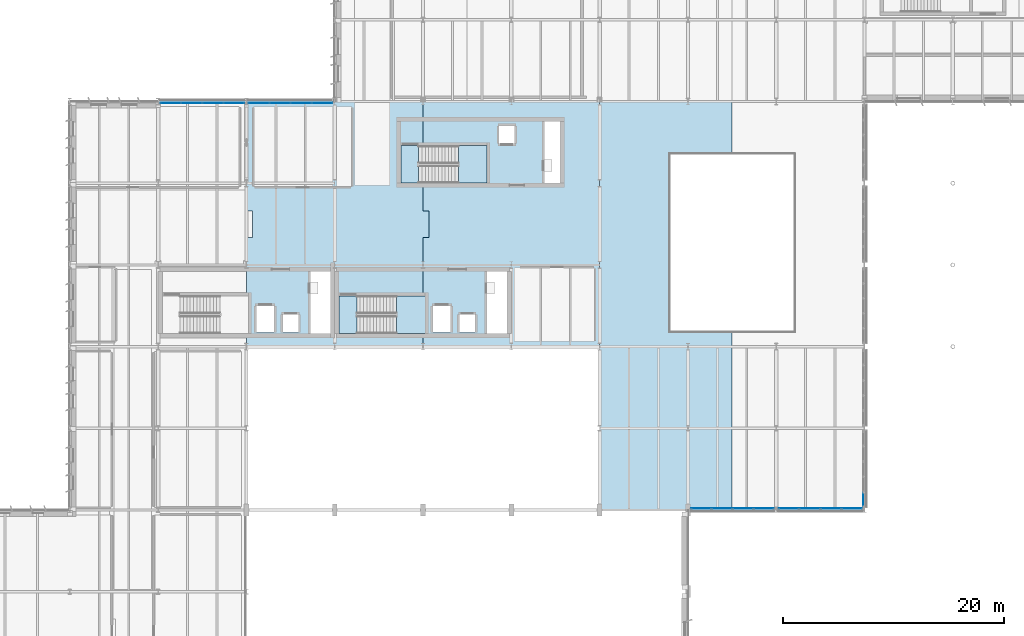
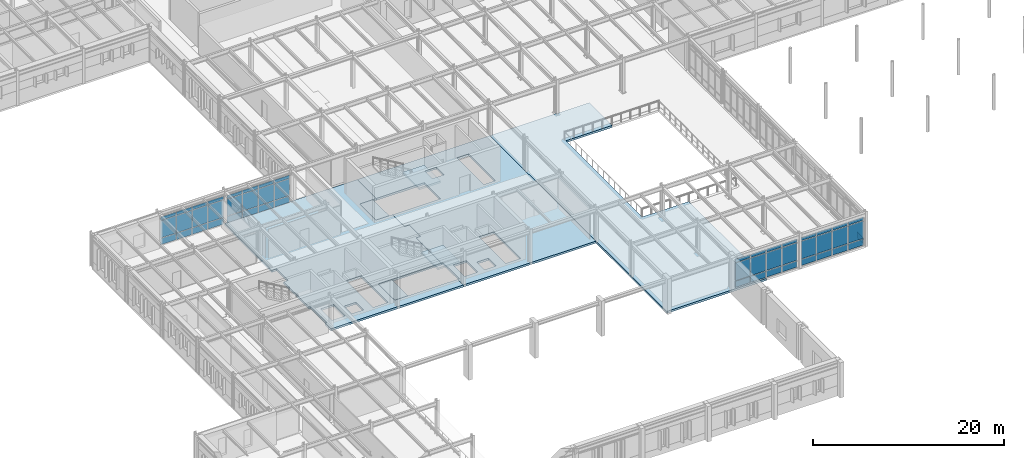
# One storey, part 29 of 75: 49 plates, 7 slabs, 7 elements without a shape of their own.
"""IFC4 building model written with IfcOpenShell, lengths in metres."""

from ifc_helpers import new_model, si_unit, direction, frame, origin, origin_2d, place, context, subcontext, project, spatial, polyline, rectangle, outline, extrude, material, layer, layer_set, type_object, element, aggregate, save


model = new_model("IFC4")

# Units and contexts
model_context = context("Model", 3, precision=1e-05, world=origin(), true_north=direction((0.0, 1.0)))
body_context = subcontext(model_context, "Body", "Model", "MODEL_VIEW")
ifc_project = project(units=[si_unit("LENGTHUNIT", "METRE"), si_unit("AREAUNIT", "SQUARE_METRE"), si_unit("VOLUMEUNIT", "CUBIC_METRE"), si_unit("PLANEANGLEUNIT", "RADIAN"), si_unit("MASSUNIT", "GRAM", prefix="KILO")], contexts=[model_context])

# Site, building, storey
site_placement = place(None, origin())
site = spatial("IfcSite", under=ifc_project, at=site_placement, CompositionType="ELEMENT")
building_placement = place(site_placement, origin())
building = spatial("IfcBuilding", under=site, at=building_placement, Name="Valkorina Park Police Headquarters", CompositionType="ELEMENT")
storey_placement = place(building_placement, frame((0.0, 0.0, 5.39990234375)))
storey = spatial("IfcBuildingStorey", under=building, at=storey_placement, Name="L02", CompositionType="ELEMENT", Elevation=5.39990234375)

# Curtain wall, plates
ifc_material_1 = material(Name="Thermally broken aluminium AW-6060", Category="aluminium")
ifc_layer_1 = layer(ifc_material_1, 0.18994140625)
ifc_layer_set_1 = layer_set([ifc_layer_1], Name="Thermally broken aluminium AW-6060")
curtain_wall_type_1 = type_object("IfcCurtainWallType", Name="CW-V4-7680x3740", PredefinedType="NOTDEFINED", material=ifc_layer_set_1)
curtain_wall_1_placement = place(storey_placement, origin())
curtain_wall_1 = element("IfcCurtainWall", 1, at=curtain_wall_1_placement, inside=storey, type_object=curtain_wall_type_1, Name="L02 Unitised Curtain Wall 014", PredefinedType="NOTDEFINED")
ifc_material_2 = material(Name="Triple low-E insulated glazing", Category="glass")
ifc_layer_2 = layer(ifc_material_2, 0.0380859375)
ifc_layer_set_2 = layer_set([ifc_layer_2], Name="Triple low-E insulated glazing")
plate_type_1 = type_object("IfcPlateType", Name="PL-CWP-ACOUST-38", PredefinedType="CURTAIN_PANEL", material=ifc_layer_set_2)
plate_1_placement = place(storey_placement, frame((79.659912109375, 22.320068359375, 0.93994140625), z_axis=(0.0, 0.0, 1.0), x_axis=(-1.0, 0.0, 0.0)))
plate_1 = element("IfcPlate", 2, at=plate_1_placement, type_object=plate_type_1, Name="CW-V4-768-374 panel 1.2", PredefinedType="CURTAIN_PANEL", context=body_context, shape_type="SweptSolid", body=[
    extrude(rectangle(XDim=1.800048828125, YDim=0.0380859375, at=origin_2d()), origin(), (0.0, 0.0, 1.0), 2.239990234375),
])
plate_2_placement = place(storey_placement, frame((79.659912109375, 22.320068359375, 3.26025390625), z_axis=(0.0, 0.0, 1.0), x_axis=(-1.0, 0.0, 0.0)))
plate_2 = element("IfcPlate", 3, at=plate_2_placement, type_object=plate_type_1, Name="CW-V4-768-374 panel 1.3", PredefinedType="CURTAIN_PANEL", context=body_context, shape_type="SweptSolid", body=[
    extrude(rectangle(XDim=1.800048828125, YDim=0.0380859375, at=origin_2d()), origin(), (0.0, 0.0, 1.0), 0.39990234375),
])
plate_3_placement = place(storey_placement, frame((77.760009765625, 22.320068359375, 0.93994140625), z_axis=(0.0, 0.0, 1.0), x_axis=(-1.0, 0.0, 0.0)))
plate_3 = element("IfcPlate", 4, at=plate_3_placement, type_object=plate_type_1, Name="CW-V4-768-374 panel 2.2", PredefinedType="CURTAIN_PANEL", context=body_context, shape_type="SweptSolid", body=[
    extrude(rectangle(XDim=1.840087890625, YDim=0.0380859375, at=origin_2d()), origin(), (0.0, 0.0, 1.0), 2.239990234375),
])
plate_4_placement = place(storey_placement, frame((77.760009765625, 22.320068359375, 3.26025390625), z_axis=(0.0, 0.0, 1.0), x_axis=(-1.0, 0.0, 0.0)))
plate_4 = element("IfcPlate", 5, at=plate_4_placement, type_object=plate_type_1, Name="CW-V4-768-374 panel 2.3", PredefinedType="CURTAIN_PANEL", context=body_context, shape_type="SweptSolid", body=[
    extrude(rectangle(XDim=1.840087890625, YDim=0.0380859375, at=origin_2d()), origin(), (0.0, 0.0, 1.0), 0.39990234375),
])
plate_5_placement = place(storey_placement, frame((75.840087890625, 22.320068359375, 0.93994140625), z_axis=(0.0, 0.0, 1.0), x_axis=(-1.0, 0.0, 0.0)))
plate_5 = element("IfcPlate", 6, at=plate_5_placement, type_object=plate_type_1, Name="CW-V4-768-374 panel 3.2", PredefinedType="CURTAIN_PANEL", context=body_context, shape_type="SweptSolid", body=[
    extrude(rectangle(XDim=1.840087890625, YDim=0.0380859375, at=origin_2d()), origin(), (0.0, 0.0, 1.0), 2.239990234375),
])
plate_6_placement = place(storey_placement, frame((75.840087890625, 22.320068359375, 3.26025390625), z_axis=(0.0, 0.0, 1.0), x_axis=(-1.0, 0.0, 0.0)))
plate_6 = element("IfcPlate", 7, at=plate_6_placement, type_object=plate_type_1, Name="CW-V4-768-374 panel 3.3", PredefinedType="CURTAIN_PANEL", context=body_context, shape_type="SweptSolid", body=[
    extrude(rectangle(XDim=1.840087890625, YDim=0.0380859375, at=origin_2d()), origin(), (0.0, 0.0, 1.0), 0.39990234375),
])
plate_7_placement = place(storey_placement, frame((73.93994140625, 22.320068359375, 0.93994140625), z_axis=(0.0, 0.0, 1.0), x_axis=(-1.0, 0.0, 0.0)))
plate_7 = element("IfcPlate", 8, at=plate_7_placement, type_object=plate_type_1, Name="CW-V4-768-374 panel 4.2", PredefinedType="CURTAIN_PANEL", context=body_context, shape_type="SweptSolid", body=[
    extrude(rectangle(XDim=1.800048828125, YDim=0.0380859375, at=origin_2d()), origin(), (0.0, 0.0, 1.0), 2.239990234375),
])
plate_8_placement = place(storey_placement, frame((73.93994140625, 22.320068359375, 3.26025390625), z_axis=(0.0, 0.0, 1.0), x_axis=(-1.0, 0.0, 0.0)))
plate_8 = element("IfcPlate", 9, at=plate_8_placement, type_object=plate_type_1, Name="CW-V4-768-374 panel 4.3", PredefinedType="CURTAIN_PANEL", context=body_context, shape_type="SweptSolid", body=[
    extrude(rectangle(XDim=1.800048828125, YDim=0.0380859375, at=origin_2d()), origin(), (0.0, 0.0, 1.0), 0.39990234375),
])

ifc_layer_3 = layer(ifc_material_1, 0.18994140625)
ifc_layer_set_3 = layer_set([ifc_layer_3], Name="Thermally broken aluminium AW-6060")
curtain_wall_type_2 = type_object("IfcCurtainWallType", Name="CW-V4-7600x3740", PredefinedType="NOTDEFINED", material=ifc_layer_set_3)
curtain_wall_2_placement = place(storey_placement, origin())
curtain_wall_2 = element("IfcCurtainWall", 10, at=curtain_wall_2_placement, inside=storey, type_object=curtain_wall_type_2, Name="L02 Unitised Curtain Wall 015", PredefinedType="NOTDEFINED")
plate_9_placement = place(storey_placement, frame((71.66943359375, 22.320068359375, 0.93994140625), z_axis=(0.0, 0.0, 1.0), x_axis=(-1.0, 0.0, 0.0)))
plate_9 = element("IfcPlate", 11, at=plate_9_placement, type_object=plate_type_1, Name="CW-V4-760-374 panel 1.2", PredefinedType="CURTAIN_PANEL", context=body_context, shape_type="SweptSolid", body=[
    extrude(rectangle(XDim=1.78125, YDim=0.0380859375, at=origin_2d()), origin(), (0.0, 0.0, 1.0), 2.239990234375),
])
plate_10_placement = place(storey_placement, frame((71.66943359375, 22.320068359375, 3.26025390625), z_axis=(0.0, 0.0, 1.0), x_axis=(-1.0, 0.0, 0.0)))
plate_10 = element("IfcPlate", 12, at=plate_10_placement, type_object=plate_type_1, Name="CW-V4-760-374 panel 1.3", PredefinedType="CURTAIN_PANEL", context=body_context, shape_type="SweptSolid", body=[
    extrude(rectangle(XDim=1.78125, YDim=0.0380859375, at=origin_2d()), origin(), (0.0, 0.0, 1.0), 0.39990234375),
])
plate_11_placement = place(storey_placement, frame((69.7880859375, 22.320068359375, 0.93994140625), z_axis=(0.0, 0.0, 1.0), x_axis=(-1.0, 0.0, 0.0)))
plate_11 = element("IfcPlate", 13, at=plate_11_placement, type_object=plate_type_1, Name="CW-V4-760-374 panel 2.2", PredefinedType="CURTAIN_PANEL", context=body_context, shape_type="SweptSolid", body=[
    extrude(rectangle(XDim=1.8212890625, YDim=0.0380859375, at=origin_2d()), origin(), (0.0, 0.0, 1.0), 2.239990234375),
])
plate_12_placement = place(storey_placement, frame((69.7880859375, 22.320068359375, 3.26025390625), z_axis=(0.0, 0.0, 1.0), x_axis=(-1.0, 0.0, 0.0)))
plate_12 = element("IfcPlate", 14, at=plate_12_placement, type_object=plate_type_1, Name="CW-V4-760-374 panel 2.3", PredefinedType="CURTAIN_PANEL", context=body_context, shape_type="SweptSolid", body=[
    extrude(rectangle(XDim=1.8212890625, YDim=0.0380859375, at=origin_2d()), origin(), (0.0, 0.0, 1.0), 0.39990234375),
])
plate_13_placement = place(storey_placement, frame((67.886962890625, 22.320068359375, 0.93994140625), z_axis=(0.0, 0.0, 1.0), x_axis=(-1.0, 0.0, 0.0)))
plate_13 = element("IfcPlate", 15, at=plate_13_placement, type_object=plate_type_1, Name="CW-V4-760-374 panel 3.2", PredefinedType="CURTAIN_PANEL", context=body_context, shape_type="SweptSolid", body=[
    extrude(rectangle(XDim=1.8212890625, YDim=0.0380859375, at=origin_2d()), origin(), (0.0, 0.0, 1.0), 2.239990234375),
])
plate_14_placement = place(storey_placement, frame((67.886962890625, 22.320068359375, 3.26025390625), z_axis=(0.0, 0.0, 1.0), x_axis=(-1.0, 0.0, 0.0)))
plate_14 = element("IfcPlate", 16, at=plate_14_placement, type_object=plate_type_1, Name="CW-V4-760-374 panel 3.3", PredefinedType="CURTAIN_PANEL", context=body_context, shape_type="SweptSolid", body=[
    extrude(rectangle(XDim=1.8212890625, YDim=0.0380859375, at=origin_2d()), origin(), (0.0, 0.0, 1.0), 0.39990234375),
])
plate_15_placement = place(storey_placement, frame((66.005615234375, 22.320068359375, 0.93994140625), z_axis=(0.0, 0.0, 1.0), x_axis=(-1.0, 0.0, 0.0)))
plate_15 = element("IfcPlate", 17, at=plate_15_placement, type_object=plate_type_1, Name="CW-V4-760-374 panel 4.2", PredefinedType="CURTAIN_PANEL", context=body_context, shape_type="SweptSolid", body=[
    extrude(rectangle(XDim=1.78125, YDim=0.0380859375, at=origin_2d()), origin(), (0.0, 0.0, 1.0), 2.239990234375),
])
plate_16_placement = place(storey_placement, frame((66.005615234375, 22.320068359375, 3.26025390625), z_axis=(0.0, 0.0, 1.0), x_axis=(-1.0, 0.0, 0.0)))
plate_16 = element("IfcPlate", 18, at=plate_16_placement, type_object=plate_type_1, Name="CW-V4-760-374 panel 4.3", PredefinedType="CURTAIN_PANEL", context=body_context, shape_type="SweptSolid", body=[
    extrude(rectangle(XDim=1.78125, YDim=0.0380859375, at=origin_2d()), origin(), (0.0, 0.0, 1.0), 0.39990234375),
])

# Curtain wall, plate
ifc_layer_4 = layer(ifc_material_1, 0.18994140625)
ifc_layer_set_4 = layer_set([ifc_layer_4], Name="Thermally broken aluminium AW-6060")
curtain_wall_type_3 = type_object("IfcCurtainWallType", Name="CW-V4-6930x3680", PredefinedType="NOTDEFINED", material=ifc_layer_set_4)
curtain_wall_3_placement = place(storey_placement, origin())
curtain_wall_3 = element("IfcCurtainWall", 19, at=curtain_wall_3_placement, inside=storey, type_object=curtain_wall_type_3, Name="L02 Unitised Curtain Wall 013", PredefinedType="NOTDEFINED")
ifc_layer_5 = layer(ifc_material_1, 0.06494140625)
ifc_layer_set_5 = layer_set([ifc_layer_5], Name="Thermally broken aluminium AW-6060")
plate_type_2 = type_object("IfcPlateType", Name="PL-CWP-INSUL-65", PredefinedType="CURTAIN_PANEL", material=ifc_layer_set_5)
plate_17_placement = place(storey_placement, frame((80.679931640625, 23.14794921875, 0.080078125), z_axis=(0.0, 0.0, 1.0), x_axis=(0.0, -1.0, 0.0)))
plate_17 = element("IfcPlate", 20, at=plate_17_placement, type_object=plate_type_2, Name="CW-V4-693-368 panel 5.1", PredefinedType="CURTAIN_PANEL", context=body_context, shape_type="SweptSolid", body=[
    extrude(rectangle(XDim=1.26611328125, YDim=0.0380859375, at=origin_2d()), origin(), (0.0, 0.0, 1.0), 0.780029296875),
])
aggregate(curtain_wall_3, [plate_17])

# Plate
plate_18_placement = place(storey_placement, frame((79.659912109375, 22.320068359375, 0.080078125), z_axis=(0.0, 0.0, 1.0), x_axis=(-1.0, 0.0, 0.0)))
plate_18 = element("IfcPlate", 21, at=plate_18_placement, type_object=plate_type_2, Name="CW-V4-768-374 panel 1.1", PredefinedType="CURTAIN_PANEL", context=body_context, shape_type="SweptSolid", body=[
    extrude(rectangle(XDim=1.800048828125, YDim=0.0380859375, at=origin_2d()), origin(), (0.0, 0.0, 1.0), 0.780029296875),
])

plate_19_placement = place(storey_placement, frame((77.760009765625, 22.320068359375, 0.080078125), z_axis=(0.0, 0.0, 1.0), x_axis=(-1.0, 0.0, 0.0)))
plate_19 = element("IfcPlate", 22, at=plate_19_placement, type_object=plate_type_2, Name="CW-V4-768-374 panel 2.1", PredefinedType="CURTAIN_PANEL", context=body_context, shape_type="SweptSolid", body=[
    extrude(rectangle(XDim=1.840087890625, YDim=0.0380859375, at=origin_2d()), origin(), (0.0, 0.0, 1.0), 0.780029296875),
])

plate_20_placement = place(storey_placement, frame((75.840087890625, 22.320068359375, 0.080078125), z_axis=(0.0, 0.0, 1.0), x_axis=(-1.0, 0.0, 0.0)))
plate_20 = element("IfcPlate", 23, at=plate_20_placement, type_object=plate_type_2, Name="CW-V4-768-374 panel 3.1", PredefinedType="CURTAIN_PANEL", context=body_context, shape_type="SweptSolid", body=[
    extrude(rectangle(XDim=1.840087890625, YDim=0.0380859375, at=origin_2d()), origin(), (0.0, 0.0, 1.0), 0.780029296875),
])

plate_21_placement = place(storey_placement, frame((73.93994140625, 22.320068359375, 0.080078125), z_axis=(0.0, 0.0, 1.0), x_axis=(-1.0, 0.0, 0.0)))
plate_21 = element("IfcPlate", 24, at=plate_21_placement, type_object=plate_type_2, Name="CW-V4-768-374 panel 4.1", PredefinedType="CURTAIN_PANEL", context=body_context, shape_type="SweptSolid", body=[
    extrude(rectangle(XDim=1.800048828125, YDim=0.0380859375, at=origin_2d()), origin(), (0.0, 0.0, 1.0), 0.780029296875),
])

aggregate(curtain_wall_1, [plate_18, plate_1, plate_2, plate_19, plate_3, plate_4, plate_20, plate_5, plate_6, plate_21, plate_7, plate_8])

plate_22_placement = place(storey_placement, frame((71.66943359375, 22.320068359375, 0.080078125), z_axis=(0.0, 0.0, 1.0), x_axis=(-1.0, 0.0, 0.0)))
plate_22 = element("IfcPlate", 25, at=plate_22_placement, type_object=plate_type_2, Name="CW-V4-760-374 panel 1.1", PredefinedType="CURTAIN_PANEL", context=body_context, shape_type="SweptSolid", body=[
    extrude(rectangle(XDim=1.78125, YDim=0.0380859375, at=origin_2d()), origin(), (0.0, 0.0, 1.0), 0.780029296875),
])

plate_23_placement = place(storey_placement, frame((69.7880859375, 22.320068359375, 0.080078125), z_axis=(0.0, 0.0, 1.0), x_axis=(-1.0, 0.0, 0.0)))
plate_23 = element("IfcPlate", 26, at=plate_23_placement, type_object=plate_type_2, Name="CW-V4-760-374 panel 2.1", PredefinedType="CURTAIN_PANEL", context=body_context, shape_type="SweptSolid", body=[
    extrude(rectangle(XDim=1.8212890625, YDim=0.0380859375, at=origin_2d()), origin(), (0.0, 0.0, 1.0), 0.780029296875),
])

plate_24_placement = place(storey_placement, frame((67.886962890625, 22.320068359375, 0.080078125), z_axis=(0.0, 0.0, 1.0), x_axis=(-1.0, 0.0, 0.0)))
plate_24 = element("IfcPlate", 27, at=plate_24_placement, type_object=plate_type_2, Name="CW-V4-760-374 panel 3.1", PredefinedType="CURTAIN_PANEL", context=body_context, shape_type="SweptSolid", body=[
    extrude(rectangle(XDim=1.8212890625, YDim=0.0380859375, at=origin_2d()), origin(), (0.0, 0.0, 1.0), 0.780029296875),
])

plate_25_placement = place(storey_placement, frame((66.005615234375, 22.320068359375, 0.080078125), z_axis=(0.0, 0.0, 1.0), x_axis=(-1.0, 0.0, 0.0)))
plate_25 = element("IfcPlate", 28, at=plate_25_placement, type_object=plate_type_2, Name="CW-V4-760-374 panel 4.1", PredefinedType="CURTAIN_PANEL", context=body_context, shape_type="SweptSolid", body=[
    extrude(rectangle(XDim=1.78125, YDim=0.0380859375, at=origin_2d()), origin(), (0.0, 0.0, 1.0), 0.780029296875),
])

aggregate(curtain_wall_2, [plate_22, plate_9, plate_10, plate_23, plate_11, plate_12, plate_24, plate_13, plate_14, plate_25, plate_15, plate_16])

# Curtain wall, plates
ifc_layer_6 = layer(ifc_material_1, 0.18994140625)
ifc_layer_set_6 = layer_set([ifc_layer_6], Name="Thermally broken aluminium AW-6060")
curtain_wall_type_4 = type_object("IfcCurtainWallType", Name="CW-COURT-7680x3670", PredefinedType="NOTDEFINED", material=ifc_layer_set_6)
curtain_wall_4_placement = place(storey_placement, origin())
curtain_wall_4 = element("IfcCurtainWall", 29, at=curtain_wall_4_placement, inside=storey, type_object=curtain_wall_type_4, Name="L02 Unitised Curtain Wall 007", PredefinedType="NOTDEFINED")
ifc_layer_7 = layer(ifc_material_1, 0.050048828125)
ifc_layer_set_7 = layer_set([ifc_layer_7], Name="Thermally broken aluminium AW-6060")
plate_type_3 = type_object("IfcPlateType", Name="PL-CWP-SPANDREL-50", PredefinedType="CURTAIN_PANEL", material=ifc_layer_set_7)
plate_26_placement = place(storey_placement, frame((17.93505859375, 59.080078125, 0.06005859375), z_axis=(0.0, 0.0, 1.0), x_axis=(1.0, 0.0, 0.0)))
plate_26 = element("IfcPlate", 30, at=plate_26_placement, type_object=plate_type_3, Name="CW-COURT-768-367 panel 1.1", PredefinedType="CURTAIN_PANEL", context=body_context, shape_type="SweptSolid", body=[
    extrude(rectangle(XDim=1.830078125, YDim=0.028076171875, at=origin_2d()), origin(), (0.0, 0.0, 1.0), 0.81005859375),
])
plate_27_placement = place(storey_placement, frame((19.840087890625, 59.080078125, 0.06005859375), z_axis=(0.0, 0.0, 1.0), x_axis=(1.0, 0.0, 0.0)))
plate_27 = element("IfcPlate", 31, at=plate_27_placement, type_object=plate_type_3, Name="CW-COURT-768-367 panel 2.1", PredefinedType="CURTAIN_PANEL", context=body_context, shape_type="SweptSolid", body=[
    extrude(rectangle(XDim=1.860107421875, YDim=0.028076171875, at=origin_2d()), origin(), (0.0, 0.0, 1.0), 0.81005859375),
])
plate_28_placement = place(storey_placement, frame((21.760009765625, 59.080078125, 0.06005859375), z_axis=(0.0, 0.0, 1.0), x_axis=(1.0, 0.0, 0.0)))
plate_28 = element("IfcPlate", 32, at=plate_28_placement, type_object=plate_type_3, Name="CW-COURT-768-367 panel 3.1", PredefinedType="CURTAIN_PANEL", context=body_context, shape_type="SweptSolid", body=[
    extrude(rectangle(XDim=1.860107421875, YDim=0.028076171875, at=origin_2d()), origin(), (0.0, 0.0, 1.0), 0.81005859375),
])
plate_29_placement = place(storey_placement, frame((23.6650390625, 59.080078125, 0.06005859375), z_axis=(0.0, 0.0, 1.0), x_axis=(1.0, 0.0, 0.0)))
plate_29 = element("IfcPlate", 33, at=plate_29_placement, type_object=plate_type_3, Name="CW-COURT-768-367 panel 4.1", PredefinedType="CURTAIN_PANEL", context=body_context, shape_type="SweptSolid", body=[
    extrude(rectangle(XDim=1.830078125, YDim=0.028076171875, at=origin_2d()), origin(), (0.0, 0.0, 1.0), 0.81005859375),
])

ifc_layer_8 = layer(ifc_material_1, 0.18994140625)
ifc_layer_set_8 = layer_set([ifc_layer_8], Name="Thermally broken aluminium AW-6060")
curtain_wall_type_5 = type_object("IfcCurtainWallType", Name="CW-COURT-7680x3610", PredefinedType="NOTDEFINED", material=ifc_layer_set_8)
curtain_wall_5_placement = place(storey_placement, origin())
curtain_wall_5 = element("IfcCurtainWall", 34, at=curtain_wall_5_placement, inside=storey, type_object=curtain_wall_type_5, Name="L02 Unitised Curtain Wall 008", PredefinedType="NOTDEFINED")
plate_30_placement = place(storey_placement, frame((25.93505859375, 59.080078125, 0.06005859375), z_axis=(0.0, 0.0, 1.0), x_axis=(1.0, 0.0, 0.0)))
plate_30 = element("IfcPlate", 35, at=plate_30_placement, type_object=plate_type_3, Name="CW-COURT-768-361 panel 1.1", PredefinedType="CURTAIN_PANEL", context=body_context, shape_type="SweptSolid", body=[
    extrude(rectangle(XDim=1.830078125, YDim=0.028076171875, at=origin_2d()), origin(), (0.0, 0.0, 1.0), 0.81005859375),
])
plate_31_placement = place(storey_placement, frame((27.840087890625, 59.080078125, 0.06005859375), z_axis=(0.0, 0.0, 1.0), x_axis=(1.0, 0.0, 0.0)))
plate_31 = element("IfcPlate", 36, at=plate_31_placement, type_object=plate_type_3, Name="CW-COURT-768-361 panel 2.1", PredefinedType="CURTAIN_PANEL", context=body_context, shape_type="SweptSolid", body=[
    extrude(rectangle(XDim=1.860107421875, YDim=0.028076171875, at=origin_2d()), origin(), (0.0, 0.0, 1.0), 0.81005859375),
])
plate_32_placement = place(storey_placement, frame((29.760009765625, 59.080078125, 0.06005859375), z_axis=(0.0, 0.0, 1.0), x_axis=(1.0, 0.0, 0.0)))
plate_32 = element("IfcPlate", 37, at=plate_32_placement, type_object=plate_type_3, Name="CW-COURT-768-361 panel 3.1", PredefinedType="CURTAIN_PANEL", context=body_context, shape_type="SweptSolid", body=[
    extrude(rectangle(XDim=1.860107421875, YDim=0.028076171875, at=origin_2d()), origin(), (0.0, 0.0, 1.0), 0.81005859375),
])
plate_33_placement = place(storey_placement, frame((31.6650390625, 59.080078125, 0.06005859375), z_axis=(0.0, 0.0, 1.0), x_axis=(1.0, 0.0, 0.0)))
plate_33 = element("IfcPlate", 38, at=plate_33_placement, type_object=plate_type_3, Name="CW-COURT-768-361 panel 4.1", PredefinedType="CURTAIN_PANEL", context=body_context, shape_type="SweptSolid", body=[
    extrude(rectangle(XDim=1.830078125, YDim=0.028076171875, at=origin_2d()), origin(), (0.0, 0.0, 1.0), 0.81005859375),
])

# Plate
ifc_layer_9 = layer(ifc_material_2, 0.028076171875)
ifc_layer_set_9 = layer_set([ifc_layer_9], Name="Triple low-E insulated glazing")
plate_type_4 = type_object("IfcPlateType", Name="PL-CWP-VISION-28", PredefinedType="CURTAIN_PANEL", material=ifc_layer_set_9)
plate_34_placement = place(storey_placement, frame((17.93505859375, 59.080078125, 0.93017578125), z_axis=(0.0, 0.0, 1.0), x_axis=(1.0, 0.0, 0.0)))
plate_34 = element("IfcPlate", 39, at=plate_34_placement, type_object=plate_type_4, Name="CW-COURT-768-367 panel 1.2", PredefinedType="CURTAIN_PANEL", context=body_context, shape_type="SweptSolid", body=[
    extrude(rectangle(XDim=1.830078125, YDim=0.028076171875, at=origin_2d()), origin(), (0.0, 0.0, 1.0), 2.18994140625),
])

plate_35_placement = place(storey_placement, frame((17.93505859375, 59.080078125, 3.18017578125), z_axis=(0.0, 0.0, 1.0), x_axis=(1.0, 0.0, 0.0)))
plate_35 = element("IfcPlate", 40, at=plate_35_placement, type_object=plate_type_4, Name="CW-COURT-768-367 panel 1.3", PredefinedType="CURTAIN_PANEL", context=body_context, shape_type="SweptSolid", body=[
    extrude(rectangle(XDim=1.830078125, YDim=0.028076171875, at=origin_2d()), origin(), (0.0, 0.0, 1.0), 0.429931640625),
])

plate_36_placement = place(storey_placement, frame((19.840087890625, 59.080078125, 0.93017578125), z_axis=(0.0, 0.0, 1.0), x_axis=(1.0, 0.0, 0.0)))
plate_36 = element("IfcPlate", 41, at=plate_36_placement, type_object=plate_type_4, Name="CW-COURT-768-367 panel 2.2", PredefinedType="CURTAIN_PANEL", context=body_context, shape_type="SweptSolid", body=[
    extrude(rectangle(XDim=1.860107421875, YDim=0.028076171875, at=origin_2d()), origin(), (0.0, 0.0, 1.0), 2.18994140625),
])

plate_37_placement = place(storey_placement, frame((19.840087890625, 59.080078125, 3.18017578125), z_axis=(0.0, 0.0, 1.0), x_axis=(1.0, 0.0, 0.0)))
plate_37 = element("IfcPlate", 42, at=plate_37_placement, type_object=plate_type_4, Name="CW-COURT-768-367 panel 2.3", PredefinedType="CURTAIN_PANEL", context=body_context, shape_type="SweptSolid", body=[
    extrude(rectangle(XDim=1.860107421875, YDim=0.028076171875, at=origin_2d()), origin(), (0.0, 0.0, 1.0), 0.429931640625),
])

plate_38_placement = place(storey_placement, frame((21.760009765625, 59.080078125, 0.93017578125), z_axis=(0.0, 0.0, 1.0), x_axis=(1.0, 0.0, 0.0)))
plate_38 = element("IfcPlate", 43, at=plate_38_placement, type_object=plate_type_4, Name="CW-COURT-768-367 panel 3.2", PredefinedType="CURTAIN_PANEL", context=body_context, shape_type="SweptSolid", body=[
    extrude(rectangle(XDim=1.860107421875, YDim=0.028076171875, at=origin_2d()), origin(), (0.0, 0.0, 1.0), 2.18994140625),
])

plate_39_placement = place(storey_placement, frame((21.760009765625, 59.080078125, 3.18017578125), z_axis=(0.0, 0.0, 1.0), x_axis=(1.0, 0.0, 0.0)))
plate_39 = element("IfcPlate", 44, at=plate_39_placement, type_object=plate_type_4, Name="CW-COURT-768-367 panel 3.3", PredefinedType="CURTAIN_PANEL", context=body_context, shape_type="SweptSolid", body=[
    extrude(rectangle(XDim=1.860107421875, YDim=0.028076171875, at=origin_2d()), origin(), (0.0, 0.0, 1.0), 0.429931640625),
])

plate_40_placement = place(storey_placement, frame((23.6650390625, 59.080078125, 0.93017578125), z_axis=(0.0, 0.0, 1.0), x_axis=(1.0, 0.0, 0.0)))
plate_40 = element("IfcPlate", 45, at=plate_40_placement, type_object=plate_type_4, Name="CW-COURT-768-367 panel 4.2", PredefinedType="CURTAIN_PANEL", context=body_context, shape_type="SweptSolid", body=[
    extrude(rectangle(XDim=1.830078125, YDim=0.028076171875, at=origin_2d()), origin(), (0.0, 0.0, 1.0), 2.18994140625),
])

plate_41_placement = place(storey_placement, frame((23.6650390625, 59.080078125, 3.18017578125), z_axis=(0.0, 0.0, 1.0), x_axis=(1.0, 0.0, 0.0)))
plate_41 = element("IfcPlate", 46, at=plate_41_placement, type_object=plate_type_4, Name="CW-COURT-768-367 panel 4.3", PredefinedType="CURTAIN_PANEL", context=body_context, shape_type="SweptSolid", body=[
    extrude(rectangle(XDim=1.830078125, YDim=0.028076171875, at=origin_2d()), origin(), (0.0, 0.0, 1.0), 0.429931640625),
])

aggregate(curtain_wall_4, [plate_26, plate_34, plate_35, plate_27, plate_36, plate_37, plate_28, plate_38, plate_39, plate_29, plate_40, plate_41])

plate_42_placement = place(storey_placement, frame((25.93505859375, 59.080078125, 0.93017578125), z_axis=(0.0, 0.0, 1.0), x_axis=(1.0, 0.0, 0.0)))
plate_42 = element("IfcPlate", 47, at=plate_42_placement, type_object=plate_type_4, Name="CW-COURT-768-361 panel 1.2", PredefinedType="CURTAIN_PANEL", context=body_context, shape_type="SweptSolid", body=[
    extrude(rectangle(XDim=1.830078125, YDim=0.028076171875, at=origin_2d()), origin(), (0.0, 0.0, 1.0), 2.1298828125),
])

plate_43_placement = place(storey_placement, frame((25.93505859375, 59.080078125, 3.1201171875), z_axis=(0.0, 0.0, 1.0), x_axis=(1.0, 0.0, 0.0)))
plate_43 = element("IfcPlate", 48, at=plate_43_placement, type_object=plate_type_4, Name="CW-COURT-768-361 panel 1.3", PredefinedType="CURTAIN_PANEL", context=body_context, shape_type="SweptSolid", body=[
    extrude(rectangle(XDim=1.830078125, YDim=0.028076171875, at=origin_2d()), origin(), (0.0, 0.0, 1.0), 0.429931640625),
])

plate_44_placement = place(storey_placement, frame((27.840087890625, 59.080078125, 0.93017578125), z_axis=(0.0, 0.0, 1.0), x_axis=(1.0, 0.0, 0.0)))
plate_44 = element("IfcPlate", 49, at=plate_44_placement, type_object=plate_type_4, Name="CW-COURT-768-361 panel 2.2", PredefinedType="CURTAIN_PANEL", context=body_context, shape_type="SweptSolid", body=[
    extrude(rectangle(XDim=1.860107421875, YDim=0.028076171875, at=origin_2d()), origin(), (0.0, 0.0, 1.0), 2.1298828125),
])

plate_45_placement = place(storey_placement, frame((27.840087890625, 59.080078125, 3.1201171875), z_axis=(0.0, 0.0, 1.0), x_axis=(1.0, 0.0, 0.0)))
plate_45 = element("IfcPlate", 50, at=plate_45_placement, type_object=plate_type_4, Name="CW-COURT-768-361 panel 2.3", PredefinedType="CURTAIN_PANEL", context=body_context, shape_type="SweptSolid", body=[
    extrude(rectangle(XDim=1.860107421875, YDim=0.028076171875, at=origin_2d()), origin(), (0.0, 0.0, 1.0), 0.429931640625),
])

plate_46_placement = place(storey_placement, frame((29.760009765625, 59.080078125, 0.93017578125), z_axis=(0.0, 0.0, 1.0), x_axis=(1.0, 0.0, 0.0)))
plate_46 = element("IfcPlate", 51, at=plate_46_placement, type_object=plate_type_4, Name="CW-COURT-768-361 panel 3.2", PredefinedType="CURTAIN_PANEL", context=body_context, shape_type="SweptSolid", body=[
    extrude(rectangle(XDim=1.860107421875, YDim=0.028076171875, at=origin_2d()), origin(), (0.0, 0.0, 1.0), 2.1298828125),
])

plate_47_placement = place(storey_placement, frame((29.760009765625, 59.080078125, 3.1201171875), z_axis=(0.0, 0.0, 1.0), x_axis=(1.0, 0.0, 0.0)))
plate_47 = element("IfcPlate", 52, at=plate_47_placement, type_object=plate_type_4, Name="CW-COURT-768-361 panel 3.3", PredefinedType="CURTAIN_PANEL", context=body_context, shape_type="SweptSolid", body=[
    extrude(rectangle(XDim=1.860107421875, YDim=0.028076171875, at=origin_2d()), origin(), (0.0, 0.0, 1.0), 0.429931640625),
])

plate_48_placement = place(storey_placement, frame((31.6650390625, 59.080078125, 0.93017578125), z_axis=(0.0, 0.0, 1.0), x_axis=(1.0, 0.0, 0.0)))
plate_48 = element("IfcPlate", 53, at=plate_48_placement, type_object=plate_type_4, Name="CW-COURT-768-361 panel 4.2", PredefinedType="CURTAIN_PANEL", context=body_context, shape_type="SweptSolid", body=[
    extrude(rectangle(XDim=1.830078125, YDim=0.028076171875, at=origin_2d()), origin(), (0.0, 0.0, 1.0), 2.1298828125),
])

plate_49_placement = place(storey_placement, frame((31.6650390625, 59.080078125, 3.1201171875), z_axis=(0.0, 0.0, 1.0), x_axis=(1.0, 0.0, 0.0)))
plate_49 = element("IfcPlate", 54, at=plate_49_placement, type_object=plate_type_4, Name="CW-COURT-768-361 panel 4.3", PredefinedType="CURTAIN_PANEL", context=body_context, shape_type="SweptSolid", body=[
    extrude(rectangle(XDim=1.830078125, YDim=0.028076171875, at=origin_2d()), origin(), (0.0, 0.0, 1.0), 0.429931640625),
])

aggregate(curtain_wall_5, [plate_30, plate_42, plate_43, plate_31, plate_44, plate_45, plate_32, plate_46, plate_47, plate_33, plate_48, plate_49])

# Stair, slab
ifc_material_3 = material(Name="Concrete C35/45", Category="concrete")
stair_type = type_object("IfcStairType", Name="ST-DOGLEG-160-45", PredefinedType="HALF_TURN_STAIR", material=ifc_material_3)
stair_1_placement = place(storey_placement, origin())
stair_1 = element("IfcStair", 55, at=stair_1_placement, inside=storey, type_object=stair_type, Name="L02 Core C2 Protected Stair (ST-03)", PredefinedType="HALF_TURN_STAIR")
ifc_layer_10 = layer(ifc_material_3, 0.22998046875)
ifc_layer_set_10 = layer_set([ifc_layer_10], Name="Concrete C35/45")
slab_type_1 = type_object("IfcSlabType", Name="SL-LANDING-230", PredefinedType="LANDING", material=ifc_layer_set_10)
slab_1_placement = place(storey_placement, frame((0.0, 0.0, 2.02001953125)))
slab_1 = element("IfcSlab", 56, at=slab_1_placement, type_object=slab_type_1, Name="ST-03 landing 1", PredefinedType="LANDING", context=body_context, shape_type="SweptSolid", body=[
    extrude(outline(polyline([(38.39990234375, 38.199951171875), (41.0, 38.199951171875), (41.0, 41.60009765625), (38.39990234375, 41.60009765625), (38.39990234375, 38.199951171875)])), origin(), (0.0, 0.0, 1.0), 0.22998046875),
])
aggregate(stair_1, [slab_1])

stair_2_placement = place(storey_placement, origin())
stair_2 = element("IfcStair", 57, at=stair_2_placement, inside=storey, type_object=stair_type, Name="L02 Core C3 Protected Stair (ST-03)", PredefinedType="HALF_TURN_STAIR")
slab_2_placement = place(storey_placement, frame((0.0, 0.0, 2.02001953125)))
slab_2 = element("IfcSlab", 58, at=slab_2_placement, type_object=slab_type_1, Name="ST-03 landing 1", PredefinedType="LANDING", context=body_context, shape_type="SweptSolid", body=[
    extrude(outline(polyline([(44.0, 51.800048828125), (46.60009765625, 51.800048828125), (46.60009765625, 55.199951171875), (44.0, 55.199951171875), (44.0, 51.800048828125)])), origin(), (0.0, 0.0, 1.0), 0.22998046875),
])
aggregate(stair_2, [slab_2])

# Slabs
ifc_layer_11 = layer(ifc_material_3, 0.260009765625)
ifc_layer_set_11 = layer_set([ifc_layer_11], Name="Concrete C35/45")
slab_type_2 = type_object("IfcSlabType", Name="SL-PODIUM-260", PredefinedType="FLOOR", material=ifc_layer_set_11)
slab_3_placement = place(storey_placement, frame((0.0, 0.0, -0.260009765625)))
element("IfcSlab", 59, at=slab_3_placement, inside=storey, type_object=slab_type_2, Name="L02 Structural Floor Slab 36", PredefinedType="FLOOR", context=body_context, shape_type="SweptSolid", body=[
    extrude(outline(polyline([(41.35009765625, 49.2958984375), (40.800048828125, 49.2958984375), (40.800048828125, 51.800048828125), (38.800048828125, 51.800048828125), (38.800048828125, 55.199951171875), (40.800048828125, 55.199951171875), (40.800048828125, 59.19189453125), (24.800048828125, 59.19189453125), (24.800048828125, 49.2958984375), (25.35009765625, 49.2958984375), (25.35009765625, 46.89599609375), (24.800048828125, 46.89599609375), (24.800048828125, 41.60009765625), (25.0, 41.60009765625), (25.0, 38.199951171875), (24.800048828125, 38.199951171875), (24.800048828125, 37.0), (40.800048828125, 37.0), (40.800048828125, 38.199951171875), (33.199951171875, 38.199951171875), (33.199951171875, 41.60009765625), (40.800048828125, 41.60009765625), (40.800048828125, 46.89599609375), (41.35009765625, 46.89599609375), (41.35009765625, 49.2958984375)]), holes=[polyline([(29.5, 38.300048828125), (28.10009765625, 38.300048828125), (28.10009765625, 39.89990234375), (29.5, 39.89990234375), (29.5, 38.300048828125)]), polyline([(27.300048828125, 38.300048828125), (25.699951171875, 38.300048828125), (25.699951171875, 40.699951171875), (27.300048828125, 40.699951171875), (27.300048828125, 38.300048828125)]), polyline([(32.39990234375, 38.199951171875), (30.60009765625, 38.199951171875), (30.60009765625, 43.800048828125), (32.39990234375, 43.800048828125), (32.39990234375, 38.199951171875)])]), origin(), (0.0, 0.0, 1.0), 0.260009765625),
])
slab_4_placement = place(storey_placement, frame((0.0, 0.0, -0.260009765625)))
element("IfcSlab", 60, at=slab_4_placement, inside=storey, type_object=slab_type_2, Name="L02 Structural Floor Slab 37", PredefinedType="FLOOR", context=body_context, shape_type="SweptSolid", body=[
    extrude(outline(polyline([(40.800048828125, 59.19189453125), (40.800048828125, 55.199951171875), (46.60009765625, 55.199951171875), (46.60009765625, 51.800048828125), (40.800048828125, 51.800048828125), (40.800048828125, 49.2958984375), (41.35009765625, 49.2958984375), (41.35009765625, 46.89599609375), (40.800048828125, 46.89599609375), (40.800048828125, 41.60009765625), (41.0, 41.60009765625), (41.0, 38.199951171875), (40.800048828125, 38.199951171875), (40.800048828125, 37.0), (56.800048828125, 37.0), (56.800048828125, 59.19189453125), (40.800048828125, 59.19189453125)]), holes=[polyline([(45.5, 38.300048828125), (44.10009765625, 38.300048828125), (44.10009765625, 39.89990234375), (45.5, 39.89990234375), (45.5, 38.300048828125)]), polyline([(41.699951171875, 38.300048828125), (41.699951171875, 40.699951171875), (43.300048828125, 40.699951171875), (43.300048828125, 38.300048828125), (41.699951171875, 38.300048828125)]), polyline([(48.39990234375, 38.199951171875), (46.60009765625, 38.199951171875), (46.60009765625, 43.800048828125), (48.39990234375, 43.800048828125), (48.39990234375, 38.199951171875)]), polyline([(47.699951171875, 55.39990234375), (47.699951171875, 57.0), (49.10009765625, 57.0), (49.10009765625, 55.39990234375), (47.699951171875, 55.39990234375)]), polyline([(53.199951171875, 51.800048828125), (51.800048828125, 51.800048828125), (51.800048828125, 57.39990234375), (53.199951171875, 57.39990234375), (53.199951171875, 51.800048828125)])]), origin(), (0.0, 0.0, 1.0), 0.260009765625),
])
slab_5_placement = place(storey_placement, frame((0.0, 0.0, -0.260009765625)))
element("IfcSlab", 61, at=slab_5_placement, inside=storey, type_object=slab_type_2, Name="L02 Structural Floor Slab 38", PredefinedType="FLOOR", context=body_context, shape_type="SweptSolid", body=[
    extrude(outline(polyline([(68.800048828125, 22.199951171875), (68.800048828125, 38.39990234375), (63.199951171875, 38.39990234375), (63.199951171875, 54.39990234375), (68.800048828125, 54.39990234375), (68.800048828125, 59.19189453125), (56.800048828125, 59.19189453125), (56.800048828125, 22.199951171875), (68.800048828125, 22.199951171875)])), origin(), (0.0, 0.0, 1.0), 0.260009765625),
])
ifc_material_4 = material(Name="Concrete C40/50", Category="concrete")
ifc_layer_12 = layer(ifc_material_4, 0.300048828125)
ifc_layer_set_12 = layer_set([ifc_layer_12], Name="Concrete C40/50")
slab_type_3 = type_object("IfcSlabType", Name="SL-VAULT-300", PredefinedType="FLOOR", material=ifc_layer_set_12)
slab_6_placement = place(storey_placement, frame((0.0, 0.0, -0.2998046875)))
element("IfcSlab", 62, at=slab_6_placement, inside=storey, type_object=slab_type_3, Name="L02 Core C2 Structural Floor Landing Slab", PredefinedType="FLOOR", context=body_context, shape_type="SweptSolid", body=[
    extrude(outline(polyline([(33.199951171875, 38.199951171875), (34.800048828125, 38.199951171875), (34.800048828125, 41.60009765625), (33.199951171875, 41.60009765625), (33.199951171875, 38.199951171875)])), origin(), (0.0, 0.0, 1.0), 0.2998046875),
])
slab_7_placement = place(storey_placement, frame((0.0, 0.0, -0.2998046875)))
element("IfcSlab", 63, at=slab_7_placement, inside=storey, type_object=slab_type_3, Name="L02 Core C3 Structural Floor Landing Slab", PredefinedType="FLOOR", context=body_context, shape_type="SweptSolid", body=[
    extrude(outline(polyline([(38.800048828125, 51.800048828125), (40.39990234375, 51.800048828125), (40.39990234375, 55.199951171875), (38.800048828125, 55.199951171875), (38.800048828125, 51.800048828125)])), origin(), (0.0, 0.0, 1.0), 0.2998046875),
])

save(model, "model.ifc")
